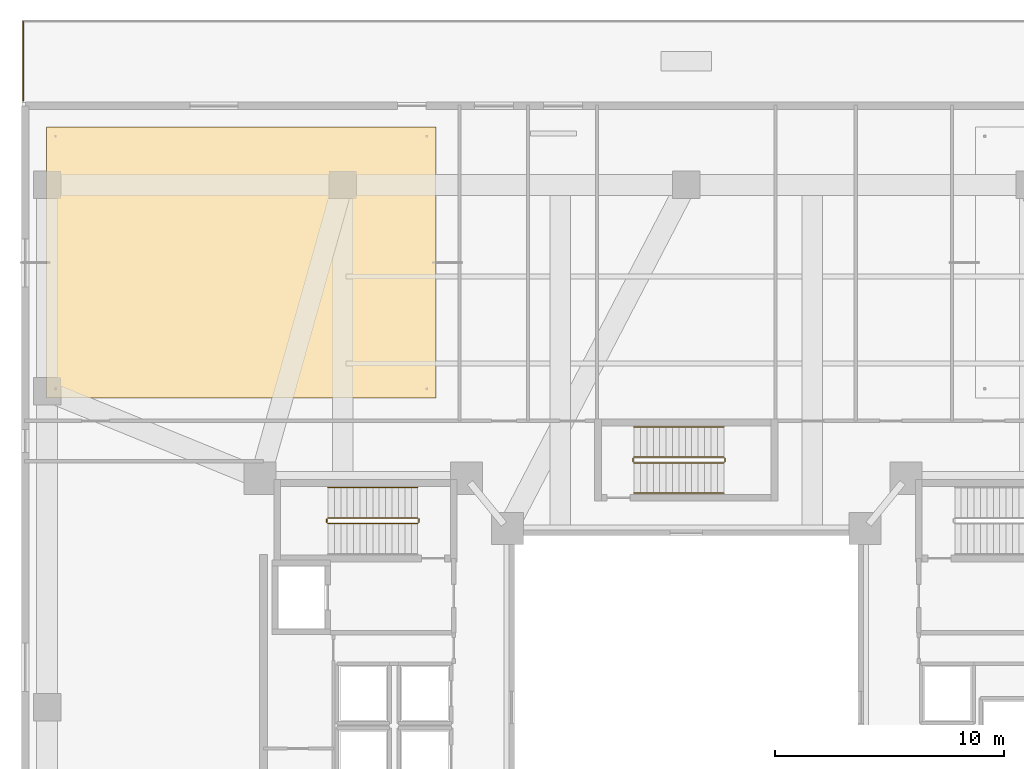
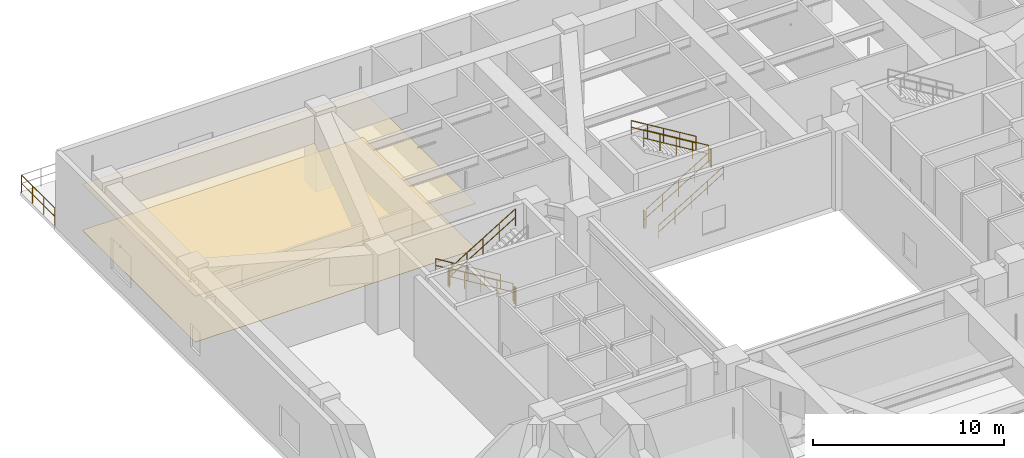
# One storey, part 19 of 21: 12 railings, 2 coverings.
"""IFC4 building model written with IfcOpenShell, lengths in metres."""

from ifc_helpers import new_model, si_unit, direction, frame, origin, origin_2d, place, context, subcontext, project, spatial, polyline, circle, outline, extrude, material, layer, layer_set, type_object, element, save


model = new_model("IFC4")

# Units and contexts
model_context = context("Model", 3, precision=1e-05, world=origin(), true_north=direction((0.0, 1.0)))
body_context = subcontext(model_context, "Body", "Model", "MODEL_VIEW")
ifc_project = project(units=[si_unit("LENGTHUNIT", "METRE"), si_unit("AREAUNIT", "SQUARE_METRE"), si_unit("VOLUMEUNIT", "CUBIC_METRE"), si_unit("PLANEANGLEUNIT", "RADIAN"), si_unit("MASSUNIT", "GRAM", prefix="KILO")], contexts=[model_context])

# Site, building, storey
site_placement = place(None, origin())
site = spatial("IfcSite", under=ifc_project, at=site_placement, CompositionType="ELEMENT")
building_placement = place(site_placement, origin())
building = spatial("IfcBuilding", under=site, at=building_placement, Name="Tarnavaz Court Tower", CompositionType="ELEMENT")
storey_placement = place(building_placement, frame((0.0, 0.0, 18.89990234375)))
storey = spatial("IfcBuildingStorey", under=building, at=storey_placement, Name="L04", CompositionType="ELEMENT", Elevation=18.89990234375)

# Coverings
ifc_material_1 = material(Name="Perforated Gypsum Acoustic Ceiling Tile", Category="masonry")
ifc_layer_1 = layer(ifc_material_1, 0.02490234375)
ifc_layer_set_1 = layer_set([ifc_layer_1], Name="Perforated Gypsum Acoustic Ceiling Tile")
covering_type_1 = type_object("IfcCoveringType", Name="CV-CEIL-AC", PredefinedType="CEILING", material=ifc_layer_set_1)
covering_1_placement = place(storey_placement, frame((0.0, 0.0, 2.93017578125)))
element("IfcCovering", 1, at=covering_1_placement, inside=storey, type_object=covering_type_1, Name="L04 Resident Community Multipurpose Hall Suspended Acoustic Ceiling", PredefinedType="CEILING", context=body_context, shape_type="SweptSolid", body=[
    extrude(outline(polyline([(-27.929931640625, 13.5), (-10.929931640625, 13.5), (-10.929931640625, 25.330078125), (-27.929931640625, 25.330078125), (-27.929931640625, 13.5)])), origin(), (0.0, 0.0, 1.0), 0.02490234375),
])
ifc_material_2 = material(Name="Glazed Khorasan Porcelain Floor Tile", Category="masonry")
ifc_layer_2 = layer(ifc_material_2, 0.02001953125)
ifc_layer_set_2 = layer_set([ifc_layer_2], Name="Glazed Khorasan Porcelain Floor Tile")
covering_type_2 = type_object("IfcCoveringType", Name="CV-FLR-PORC", PredefinedType="FLOORING", material=ifc_layer_set_2)
covering_2_placement = place(storey_placement, origin())
element("IfcCovering", 2, at=covering_2_placement, inside=storey, type_object=covering_type_2, Name="L04 Resident Community Multipurpose Hall Porcelain Floor Finish", PredefinedType="FLOORING", context=body_context, shape_type="SweptSolid", body=[
    extrude(outline(polyline([(-27.929931640625, 13.5), (-10.929931640625, 13.5), (-10.929931640625, 25.330078125), (-27.929931640625, 25.330078125), (-27.929931640625, 13.5)])), origin(), (0.0, 0.0, 1.0), 0.02001953125),
])

# Railings
ifc_material_3 = material(Name="Anodised Aluminium 6063-T6 and Laminated Safety Glass", Category="aluminium")
railing_type_1 = type_object("IfcRailingType", Name="RL-BAL-1120", PredefinedType="BALUSTRADE", material=ifc_material_3)
railing_1_placement = place(storey_placement, frame((-28.93994140625, 29.93994140625, 0.0)))
element("IfcRailing", 3, at=railing_1_placement, inside=storey, type_object=railing_type_1, Name="L04 Terrace 1 W Perimeter Balustrade", PredefinedType="BALUSTRADE", context=body_context, shape_type="SweptSolid", body=[
    extrude(circle(Radius=0.02392578125, at=origin_2d()), frame((0.0, 0.0, 1.09619140625), z_axis=(0.0, -1.0, 0.0), x_axis=(1.0, 0.0, 0.0)), (0.0, 0.0, 1.0), 3.47998046875),
    extrude(circle(Radius=0.02392578125, at=origin_2d()), frame((0.0, 0.0, 0.56005859375), z_axis=(0.0, -1.0, 0.0), x_axis=(1.0, 0.0, 0.0)), (0.0, 0.0, 1.0), 3.47998046875),
    extrude(circle(Radius=0.02099609375, at=origin_2d()), origin(), (0.0, 0.0, 1.0), 1.072021484375),
    extrude(circle(Radius=0.02099609375, at=origin_2d()), frame((0.0, -1.159912109375, 0.0)), (0.0, 0.0, 1.0), 1.072021484375),
    extrude(circle(Radius=0.02099609375, at=origin_2d()), frame((0.0, -2.320068359375, 0.0)), (0.0, 0.0, 1.0), 1.072021484375),
    extrude(circle(Radius=0.02099609375, at=origin_2d()), frame((0.0, -3.47998046875, 0.0)), (0.0, 0.0, 1.0), 1.072021484375),
])
ifc_material_4 = material(Name="Brushed Stainless Steel", Category="steel")
railing_type_2 = type_object("IfcRailingType", Name="RL-HANDRAIL-900", PredefinedType="HANDRAIL", material=ifc_material_4)
railing_2_placement = place(storey_placement, frame((-11.719970703125, 9.590087890625, 0.170166015625)))
element("IfcRailing", 4, at=railing_2_placement, inside=storey, type_object=railing_type_2, Name="L04 ST-W1 stair handrail 1", PredefinedType="HANDRAIL", context=body_context, shape_type="SweptSolid", body=[
    extrude(circle(Radius=0.02392578125, at=origin_2d()), frame((0.0, 0.0, 0.8759765625), z_axis=(-0.854794262968, 0.0, 0.518967020143), x_axis=(0.0, -1.0, 0.0)), (0.0, 0.0, 1.0), 4.585693359375),
    extrude(circle(Radius=0.02392578125, at=origin_2d()), frame((0.0, 0.0, 0.449951171875), z_axis=(-0.854794262968, 0.0, 0.518967020143), x_axis=(0.0, -1.0, 0.0)), (0.0, 0.0, 1.0), 4.585693359375),
    extrude(circle(Radius=0.02099609375, at=origin_2d()), origin(), (0.0, 0.0, 1.0), 0.851806640625),
    extrude(circle(Radius=0.02099609375, at=origin_2d()), frame((-0.97998046875, 0.0, 0.594970703125)), (0.0, 0.0, 1.0), 0.851806640625),
    extrude(circle(Radius=0.02099609375, at=origin_2d()), frame((-1.9599609375, 0.0, 1.18994140625)), (0.0, 0.0, 1.0), 0.851806640625),
    extrude(circle(Radius=0.02099609375, at=origin_2d()), frame((-2.93994140625, 0.0, 1.784912109375)), (0.0, 0.0, 1.0), 0.851806640625),
    extrude(circle(Radius=0.02099609375, at=origin_2d()), frame((-3.919921875, 0.0, 2.3798828125)), (0.0, 0.0, 1.0), 0.851806640625),
])
railing_3_placement = place(storey_placement, frame((-2.280029296875, 9.35009765625, 0.170166015625)))
element("IfcRailing", 5, at=railing_3_placement, inside=storey, type_object=railing_type_2, Name="L04 ST-N1 stair handrail 1", PredefinedType="HANDRAIL", context=body_context, shape_type="SweptSolid", body=[
    extrude(circle(Radius=0.02392578125, at=origin_2d()), frame((0.0, 0.0, 0.8759765625), z_axis=(0.854794262968, 0.0, 0.518967020143), x_axis=(0.0, 1.0, 0.0)), (0.0, 0.0, 1.0), 4.585693359375),
    extrude(circle(Radius=0.02392578125, at=origin_2d()), frame((0.0, 0.0, 0.449951171875), z_axis=(0.854794262968, 0.0, 0.518967020143), x_axis=(0.0, 1.0, 0.0)), (0.0, 0.0, 1.0), 4.585693359375),
    extrude(circle(Radius=0.02099609375, at=origin_2d()), origin(), (0.0, 0.0, 1.0), 0.851806640625),
    extrude(circle(Radius=0.02099609375, at=origin_2d()), frame((0.97998046875, 0.0, 0.594970703125)), (0.0, 0.0, 1.0), 0.851806640625),
    extrude(circle(Radius=0.02099609375, at=origin_2d()), frame((1.9599609375, 0.0, 1.18994140625)), (0.0, 0.0, 1.0), 0.851806640625),
    extrude(circle(Radius=0.02099609375, at=origin_2d()), frame((2.93994140625, 0.0, 1.784912109375)), (0.0, 0.0, 1.0), 0.851806640625),
    extrude(circle(Radius=0.02099609375, at=origin_2d()), frame((3.919921875, 0.0, 2.3798828125)), (0.0, 0.0, 1.0), 0.851806640625),
])
railing_4_placement = place(storey_placement, frame((1.639892578125, 12.239990234375, 2.72021484375)))
element("IfcRailing", 6, at=railing_4_placement, inside=storey, type_object=railing_type_2, Name="L04 ST-N1 stair handrail 2", PredefinedType="HANDRAIL", context=body_context, shape_type="SweptSolid", body=[
    extrude(circle(Radius=0.02392578125, at=origin_2d()), frame((0.0, 0.0, 0.8759765625), z_axis=(-0.854794262968, 0.0, 0.518967020143), x_axis=(0.0, -1.0, 0.0)), (0.0, 0.0, 1.0), 4.585693359375),
    extrude(circle(Radius=0.02392578125, at=origin_2d()), frame((0.0, 0.0, 0.449951171875), z_axis=(-0.854794262968, 0.0, 0.518967020143), x_axis=(0.0, -1.0, 0.0)), (0.0, 0.0, 1.0), 4.585693359375),
    extrude(circle(Radius=0.02099609375, at=origin_2d()), origin(), (0.0, 0.0, 1.0), 0.851806640625),
    extrude(circle(Radius=0.02099609375, at=origin_2d()), frame((-0.97998046875, 0.0, 0.594970703125)), (0.0, 0.0, 1.0), 0.851806640625),
    extrude(circle(Radius=0.02099609375, at=origin_2d()), frame((-1.9599609375, 0.0, 1.18994140625)), (0.0, 0.0, 1.0), 0.851806640625),
    extrude(circle(Radius=0.02099609375, at=origin_2d()), frame((-2.93994140625, 0.0, 1.784912109375)), (0.0, 0.0, 1.0), 0.851806640625),
    extrude(circle(Radius=0.02099609375, at=origin_2d()), frame((-3.919921875, 0.0, 2.3798828125)), (0.0, 0.0, 1.0), 0.851806640625),
])
ifc_material_5 = material(Name="Galvanized Painted Tubular Steel", Category="steel")
railing_type_3 = type_object("IfcRailingType", Name="RL-STGUARD-1120", PredefinedType="GUARDRAIL", material=ifc_material_5)
railing_5_placement = place(storey_placement, frame((-11.719970703125, 8.27001953125, 0.170166015625)))
element("IfcRailing", 7, at=railing_5_placement, inside=storey, type_object=railing_type_3, Name="L04 ST-W1 stair guard 1", PredefinedType="GUARDRAIL", context=body_context, shape_type="SweptSolid", body=[
    extrude(circle(Radius=0.02392578125, at=origin_2d()), frame((0.0, 0.0, 1.09619140625), z_axis=(-0.854794262968, 0.0, 0.518967020143), x_axis=(0.0, -1.0, 0.0)), (0.0, 0.0, 1.0), 4.585693359375),
    extrude(circle(Radius=0.02392578125, at=origin_2d()), frame((0.0, 0.0, 0.56005859375), z_axis=(-0.854794262968, 0.0, 0.518967020143), x_axis=(0.0, -1.0, 0.0)), (0.0, 0.0, 1.0), 4.585693359375),
    extrude(circle(Radius=0.02099609375, at=origin_2d()), origin(), (0.0, 0.0, 1.0), 1.072021484375),
    extrude(circle(Radius=0.02099609375, at=origin_2d()), frame((-0.97998046875, 0.0, 0.594970703125)), (0.0, 0.0, 1.0), 1.072021484375),
    extrude(circle(Radius=0.02099609375, at=origin_2d()), frame((-1.9599609375, 0.0, 1.18994140625)), (0.0, 0.0, 1.0), 1.072021484375),
    extrude(circle(Radius=0.02099609375, at=origin_2d()), frame((-2.93994140625, 0.0, 1.784912109375)), (0.0, 0.0, 1.0), 1.072021484375),
    extrude(circle(Radius=0.02099609375, at=origin_2d()), frame((-3.919921875, 0.0, 2.3798828125)), (0.0, 0.0, 1.0), 1.072021484375),
])
railing_6_placement = place(storey_placement, frame((-15.68994140625, 8.219970703125, 2.550048828125)))
element("IfcRailing", 8, at=railing_6_placement, inside=storey, type_object=railing_type_3, Name="L04 ST-W1 stair guard 2", PredefinedType="GUARDRAIL", context=body_context, shape_type="SweptSolid", body=[
    extrude(circle(Radius=0.02392578125, at=origin_2d()), frame((0.0, 0.0, 1.09619140625), z_axis=(0.0, -1.0, 0.0), x_axis=(1.0, 0.0, 0.0)), (0.0, 0.0, 1.0), 0.14990234375),
    extrude(circle(Radius=0.02392578125, at=origin_2d()), frame((0.0, 0.0, 0.56005859375), z_axis=(0.0, -1.0, 0.0), x_axis=(1.0, 0.0, 0.0)), (0.0, 0.0, 1.0), 0.14990234375),
    extrude(circle(Radius=0.02099609375, at=origin_2d()), origin(), (0.0, 0.0, 1.0), 1.072021484375),
    extrude(circle(Radius=0.02099609375, at=origin_2d()), frame((0.0, -0.14990234375, 0.0)), (0.0, 0.0, 1.0), 1.072021484375),
])
railing_7_placement = place(storey_placement, frame((-15.639892578125, 8.02001953125, 2.72021484375)))
element("IfcRailing", 9, at=railing_7_placement, inside=storey, type_object=railing_type_3, Name="L04 ST-W1 stair guard 3", PredefinedType="GUARDRAIL", context=body_context, shape_type="SweptSolid", body=[
    extrude(circle(Radius=0.02392578125, at=origin_2d()), frame((0.0, 0.0, 1.09619140625), z_axis=(0.854794262968, 0.0, 0.518967020143), x_axis=(0.0, 1.0, 0.0)), (0.0, 0.0, 1.0), 4.585693359375),
    extrude(circle(Radius=0.02392578125, at=origin_2d()), frame((0.0, 0.0, 0.56005859375), z_axis=(0.854794262968, 0.0, 0.518967020143), x_axis=(0.0, 1.0, 0.0)), (0.0, 0.0, 1.0), 4.585693359375),
    extrude(circle(Radius=0.02099609375, at=origin_2d()), origin(), (0.0, 0.0, 1.0), 1.072021484375),
    extrude(circle(Radius=0.02099609375, at=origin_2d()), frame((0.97998046875, 0.0, 0.594970703125)), (0.0, 0.0, 1.0), 1.072021484375),
    extrude(circle(Radius=0.02099609375, at=origin_2d()), frame((1.9599609375, 0.0, 1.18994140625)), (0.0, 0.0, 1.0), 1.072021484375),
    extrude(circle(Radius=0.02099609375, at=origin_2d()), frame((2.93994140625, 0.0, 1.784912109375)), (0.0, 0.0, 1.0), 1.072021484375),
    extrude(circle(Radius=0.02099609375, at=origin_2d()), frame((3.919921875, 0.0, 2.3798828125)), (0.0, 0.0, 1.0), 1.072021484375),
])
railing_8_placement = place(storey_placement, frame((-11.669921875, 8.219970703125, 0.0)))
element("IfcRailing", 10, at=railing_8_placement, inside=storey, type_object=railing_type_3, Name="L04 ST-W1 stair guard 4", PredefinedType="GUARDRAIL", context=body_context, shape_type="SweptSolid", body=[
    extrude(circle(Radius=0.02392578125, at=origin_2d()), frame((0.0, 0.0, 1.09619140625), z_axis=(0.0, -1.0, 0.0), x_axis=(1.0, 0.0, 0.0)), (0.0, 0.0, 1.0), 0.14990234375),
    extrude(circle(Radius=0.02392578125, at=origin_2d()), frame((0.0, 0.0, 0.56005859375), z_axis=(0.0, -1.0, 0.0), x_axis=(1.0, 0.0, 0.0)), (0.0, 0.0, 1.0), 0.14990234375),
    extrude(circle(Radius=0.02099609375, at=origin_2d()), origin(), (0.0, 0.0, 1.0), 1.072021484375),
    extrude(circle(Radius=0.02099609375, at=origin_2d()), frame((0.0, -0.14990234375, 0.0)), (0.0, 0.0, 1.0), 1.072021484375),
])
railing_9_placement = place(storey_placement, frame((-2.280029296875, 10.669921875, 0.170166015625)))
element("IfcRailing", 11, at=railing_9_placement, inside=storey, type_object=railing_type_3, Name="L04 ST-N1 stair guard 1", PredefinedType="GUARDRAIL", context=body_context, shape_type="SweptSolid", body=[
    extrude(circle(Radius=0.02392578125, at=origin_2d()), frame((0.0, 0.0, 1.09619140625), z_axis=(0.854794262968, 0.0, 0.518967020143), x_axis=(0.0, 1.0, 0.0)), (0.0, 0.0, 1.0), 4.585693359375),
    extrude(circle(Radius=0.02392578125, at=origin_2d()), frame((0.0, 0.0, 0.56005859375), z_axis=(0.854794262968, 0.0, 0.518967020143), x_axis=(0.0, 1.0, 0.0)), (0.0, 0.0, 1.0), 4.585693359375),
    extrude(circle(Radius=0.02099609375, at=origin_2d()), origin(), (0.0, 0.0, 1.0), 1.072021484375),
    extrude(circle(Radius=0.02099609375, at=origin_2d()), frame((0.97998046875, 0.0, 0.594970703125)), (0.0, 0.0, 1.0), 1.072021484375),
    extrude(circle(Radius=0.02099609375, at=origin_2d()), frame((1.9599609375, 0.0, 1.18994140625)), (0.0, 0.0, 1.0), 1.072021484375),
    extrude(circle(Radius=0.02099609375, at=origin_2d()), frame((2.93994140625, 0.0, 1.784912109375)), (0.0, 0.0, 1.0), 1.072021484375),
    extrude(circle(Radius=0.02099609375, at=origin_2d()), frame((3.919921875, 0.0, 2.3798828125)), (0.0, 0.0, 1.0), 1.072021484375),
])
railing_10_placement = place(storey_placement, frame((1.68994140625, 10.719970703125, 2.550048828125)))
element("IfcRailing", 12, at=railing_10_placement, inside=storey, type_object=railing_type_3, Name="L04 ST-N1 stair guard 2", PredefinedType="GUARDRAIL", context=body_context, shape_type="SweptSolid", body=[
    extrude(circle(Radius=0.02392578125, at=origin_2d()), frame((0.0, 0.0, 1.09619140625), z_axis=(0.0, 1.0, 0.0), x_axis=(-1.0, 0.0, 0.0)), (0.0, 0.0, 1.0), 0.150146484375),
    extrude(circle(Radius=0.02392578125, at=origin_2d()), frame((0.0, 0.0, 0.56005859375), z_axis=(0.0, 1.0, 0.0), x_axis=(-1.0, 0.0, 0.0)), (0.0, 0.0, 1.0), 0.150146484375),
    extrude(circle(Radius=0.02099609375, at=origin_2d()), origin(), (0.0, 0.0, 1.0), 1.072021484375),
    extrude(circle(Radius=0.02099609375, at=origin_2d()), frame((0.0, 0.150146484375, 0.0)), (0.0, 0.0, 1.0), 1.072021484375),
])
railing_11_placement = place(storey_placement, frame((1.639892578125, 10.919921875, 2.72021484375)))
element("IfcRailing", 13, at=railing_11_placement, inside=storey, type_object=railing_type_3, Name="L04 ST-N1 stair guard 3", PredefinedType="GUARDRAIL", context=body_context, shape_type="SweptSolid", body=[
    extrude(circle(Radius=0.02392578125, at=origin_2d()), frame((0.0, 0.0, 1.09619140625), z_axis=(-0.854794262968, 0.0, 0.518967020143), x_axis=(0.0, -1.0, 0.0)), (0.0, 0.0, 1.0), 4.585693359375),
    extrude(circle(Radius=0.02392578125, at=origin_2d()), frame((0.0, 0.0, 0.56005859375), z_axis=(-0.854794262968, 0.0, 0.518967020143), x_axis=(0.0, -1.0, 0.0)), (0.0, 0.0, 1.0), 4.585693359375),
    extrude(circle(Radius=0.02099609375, at=origin_2d()), origin(), (0.0, 0.0, 1.0), 1.072021484375),
    extrude(circle(Radius=0.02099609375, at=origin_2d()), frame((-0.97998046875, 0.0, 0.594970703125)), (0.0, 0.0, 1.0), 1.072021484375),
    extrude(circle(Radius=0.02099609375, at=origin_2d()), frame((-1.9599609375, 0.0, 1.18994140625)), (0.0, 0.0, 1.0), 1.072021484375),
    extrude(circle(Radius=0.02099609375, at=origin_2d()), frame((-2.93994140625, 0.0, 1.784912109375)), (0.0, 0.0, 1.0), 1.072021484375),
    extrude(circle(Radius=0.02099609375, at=origin_2d()), frame((-3.919921875, 0.0, 2.3798828125)), (0.0, 0.0, 1.0), 1.072021484375),
])
railing_12_placement = place(storey_placement, frame((-2.330078125, 10.719970703125, 0.0)))
element("IfcRailing", 14, at=railing_12_placement, inside=storey, type_object=railing_type_3, Name="L04 ST-N1 stair guard 4", PredefinedType="GUARDRAIL", context=body_context, shape_type="SweptSolid", body=[
    extrude(circle(Radius=0.02392578125, at=origin_2d()), frame((0.0, 0.0, 1.09619140625), z_axis=(0.0, 1.0, 0.0), x_axis=(-1.0, 0.0, 0.0)), (0.0, 0.0, 1.0), 0.150146484375),
    extrude(circle(Radius=0.02392578125, at=origin_2d()), frame((0.0, 0.0, 0.56005859375), z_axis=(0.0, 1.0, 0.0), x_axis=(-1.0, 0.0, 0.0)), (0.0, 0.0, 1.0), 0.150146484375),
    extrude(circle(Radius=0.02099609375, at=origin_2d()), origin(), (0.0, 0.0, 1.0), 1.072021484375),
    extrude(circle(Radius=0.02099609375, at=origin_2d()), frame((0.0, 0.150146484375, 0.0)), (0.0, 0.0, 1.0), 1.072021484375),
])

save(model, "model.ifc")
